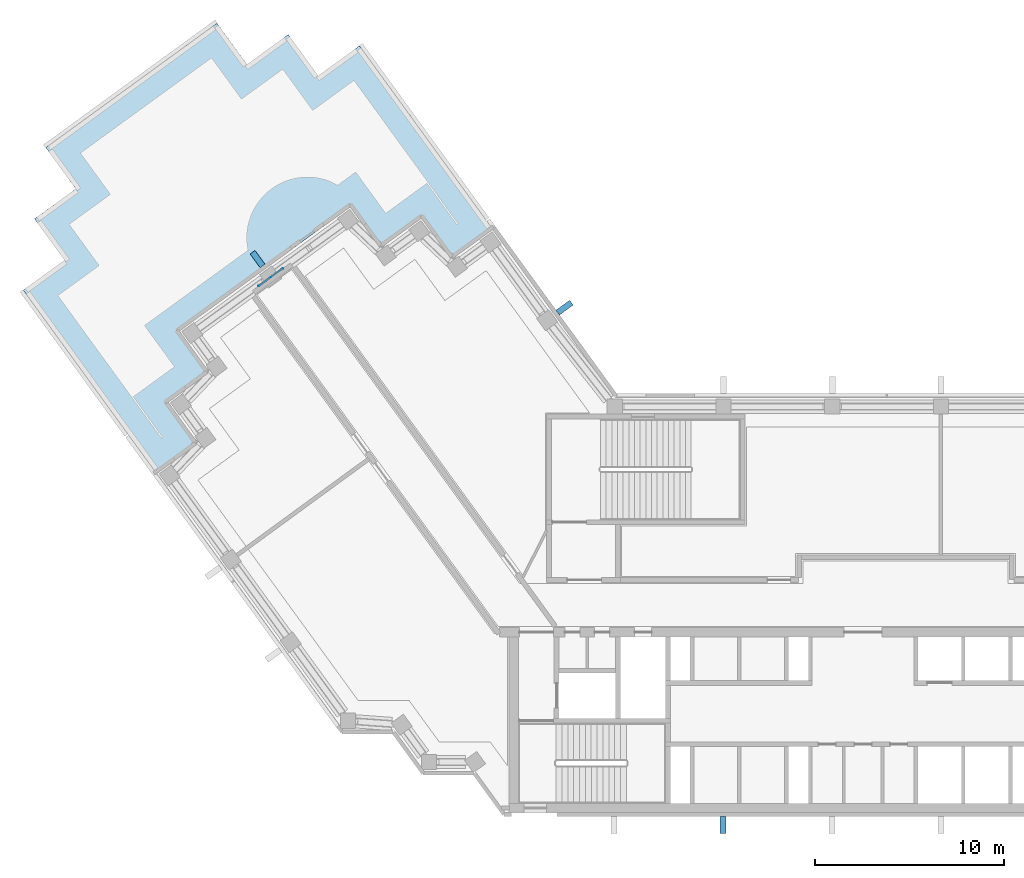
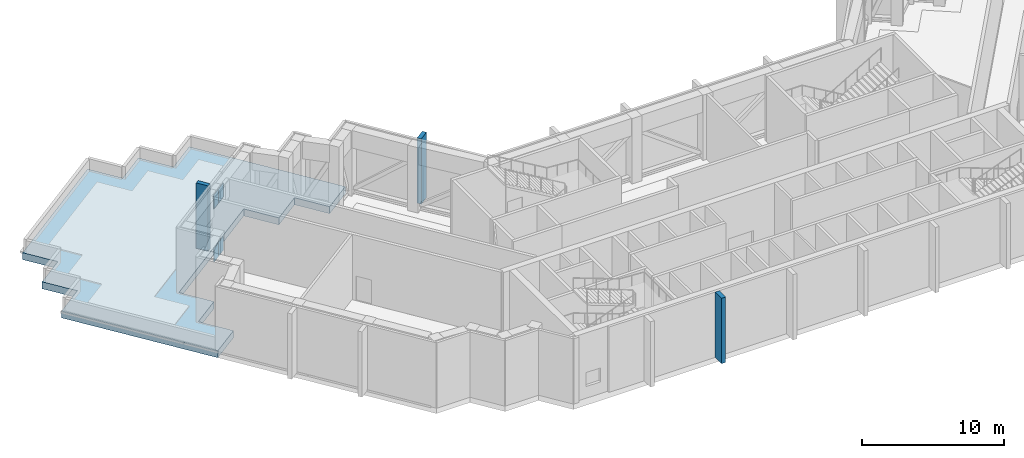
# One storey, part 4 of 15: 7 plates, 1 slab.
"""IFC4 building model written with IfcOpenShell, lengths in metres."""

from ifc_helpers import new_model, si_unit, direction, frame, origin, origin_2d, place, context, subcontext, project, spatial, polyline, rectangle, outline, extrude, material, layer, layer_set, type_object, element, save


model = new_model("IFC4")

# Units and contexts
model_context = context("Model", 3, precision=1e-05, world=origin(), true_north=direction((0.0, 1.0)))
body_context = subcontext(model_context, "Body", "Model", "MODEL_VIEW")
ifc_project = project(units=[si_unit("LENGTHUNIT", "METRE"), si_unit("AREAUNIT", "SQUARE_METRE"), si_unit("VOLUMEUNIT", "CUBIC_METRE"), si_unit("PLANEANGLEUNIT", "RADIAN"), si_unit("MASSUNIT", "GRAM", prefix="KILO")], contexts=[model_context])

# Site, building, storey
site_placement = place(None, origin())
site = spatial("IfcSite", under=ifc_project, at=site_placement, CompositionType="ELEMENT")
building_placement = place(site_placement, origin())
building = spatial("IfcBuilding", under=site, at=building_placement, Name="Quipu Civic Tower", CompositionType="ELEMENT")
storey_placement = place(building_placement, frame((0.0, 0.0, 242.0)))
storey = spatial("IfcBuildingStorey", under=building, at=storey_placement, Name="L57", CompositionType="ELEMENT", Elevation=242.0)

# Plates
ifc_material_1 = material(Name="Steel ASTM A572 Grade 50 (fy 345 MPa)", Category="steel")
ifc_layer_1 = layer(ifc_material_1, 0.030029296875)
ifc_layer_set_1 = layer_set([ifc_layer_1], Name="Steel ASTM A572 Grade 50 (fy 345 MPa)")
plate_type_1 = type_object("IfcPlateType", Name="Cast in plate BC5", PredefinedType="SHEET", material=ifc_layer_set_1)
for number, where, z_axis, x_axis, name in (
    (1, (-32.284423828125, 17.58837890625, -0.32177734375), (0.0, 0.0, 1.0), (0.80902725304, 0.587771132193, 0.0), "Cast-in plate BC5 L57 050"),
    (2, (-32.931640625, 17.1181640625, -0.32177734375), (0.0, 0.0, 1.0), (0.80902725304, 0.587771132193, 0.0), "Cast-in plate BC5 L57 053"),
):
    element("IfcPlate", number, at=place(storey_placement, frame(where, z_axis=z_axis, x_axis=x_axis)), inside=storey, type_object=plate_type_1, Name=name, PredefinedType="SHEET", context=body_context, shape_type="SweptSolid", body=[
        extrude(rectangle(XDim=0.800048828125, YDim=0.030029296875, at=origin_2d()), origin(), (0.0, 0.0, 1.0), 1.199951171875),
    ])
ifc_material_2 = material(Name="Steel ASTM A572 Grade 50 (fy 345 MPa)", Category="steel")
ifc_layer_2 = layer(ifc_material_2, 0.030029296875)
ifc_layer_set_2 = layer_set([ifc_layer_2], Name="Steel ASTM A572 Grade 50 (fy 345 MPa)")
plate_type_2 = type_object("IfcPlateType", Name="Cast in plate TC1", PredefinedType="SHEET", material=ifc_layer_set_2)
for number, where, z_axis, x_axis, name in (
    (3, (-32.284423828125, 17.58837890625, 4.25), (0.0, 0.0, 1.0), (0.80902725304, 0.587771132193, 0.0), "Cast-in plate TC1 L57 049"),
    (4, (-32.931640625, 17.1181640625, 4.25), (0.0, 0.0, 1.0), (0.80902725304, 0.587771132193, 0.0), "Cast-in plate TC1 L57 052"),
):
    element("IfcPlate", number, at=place(storey_placement, frame(where, z_axis=z_axis, x_axis=x_axis)), inside=storey, type_object=plate_type_2, Name=name, PredefinedType="SHEET", context=body_context, shape_type="SweptSolid", body=[
        extrude(rectangle(XDim=0.800048828125, YDim=0.030029296875, at=origin_2d()), origin(), (0.0, 0.0, 1.0), 1.199951171875),
    ])
ifc_material_3 = material(Name="Precast concrete C40/50", Category="concrete")
plate_type_3 = type_object("IfcPlateType", Name="Precast fin F3", PredefinedType="SHEET", material=ifc_material_3)
for number, where, z_axis, x_axis, name in (
    (5, (-17.052978515625, 15.74365234375, 0.0), (0.0, 0.0, 1.0), (-0.58778443384, 0.809017589015, 0.0), "Precast fin F3 L57.1.1"),
    (6, (-33.306396484375, 18.314453125, 0.0), (0.0, 0.0, 1.0), (-0.809017072762, -0.587785144401, 0.0), "Precast fin F3 L57.8.1"),
    (7, (-8.658935546875, -11.637939453125, 0.0), (0.0, 0.0, 1.0), (1.0, 0.0, 0.0), "Precast fin F3 L57.19.2"),
):
    element("IfcPlate", number, at=place(storey_placement, frame(where, z_axis=z_axis, x_axis=x_axis)), inside=storey, type_object=plate_type_3, Name=name, PredefinedType="SHEET", context=body_context, shape_type="SweptSolid", body=[
        extrude(rectangle(XDim=0.320068359375, YDim=0.89990234375, at=origin_2d()), origin(), (0.0, 0.0, 1.0), 5.60009765625),
    ])

# Slab
ifc_material_4 = material(Name="Concrete C40/50", Category="concrete")
ifc_layer_3 = layer(ifc_material_4, 0.60009765625)
ifc_layer_set_3 = layer_set([ifc_layer_3], Name="Concrete C40/50")
slab_type = type_object("IfcSlabType", Name="Roof slab 600 C40/50", PredefinedType="ROOF", material=ifc_layer_set_3)
slab_placement = place(storey_placement, frame((0.0, 0.0, -0.60009765625)))
element("IfcSlab", 8, at=slab_placement, inside=storey, type_object=slab_type, Name="Setback roof slab L57", PredefinedType="ROOF", context=body_context, shape_type="SweptSolid", body=[
    extrude(outline(polyline([(-45.7099609375, 16.669921875), (-43.52490234375, 18.260009765625), (-45.114990234375, 20.445068359375), (-42.929931640625, 22.030029296875), (-44.514892578125, 24.215087890625), (-35.455078125, 30.800048828125), (-33.864990234375, 28.614990234375), (-31.68505859375, 30.199951171875), (-30.094970703125, 28.014892578125), (-27.909912109375, 29.60498046875), (-20.860107421875, 19.89501953125), (-23.0400390625, 18.31005859375), (-24.6298828125, 20.4951171875), (-26.81494140625, 18.905029296875), (-28.39990234375, 21.090087890625), (-37.4599609375, 14.5048828125), (-35.875, 12.320068359375), (-38.06005859375, 10.735107421875), (-36.469970703125, 8.550048828125), (-38.655029296875, 6.965087890625), (-45.7099609375, 16.669921875)])), origin(), (0.0, 0.0, 1.0), 0.60009765625),
])

save(model, "model.ifc")
